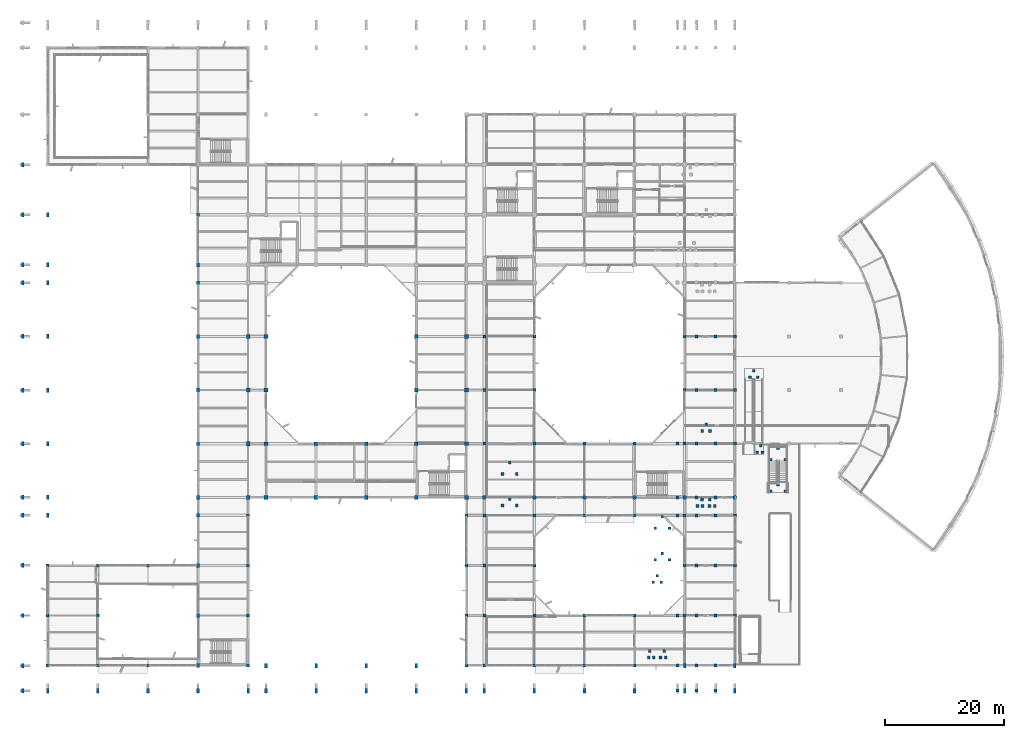
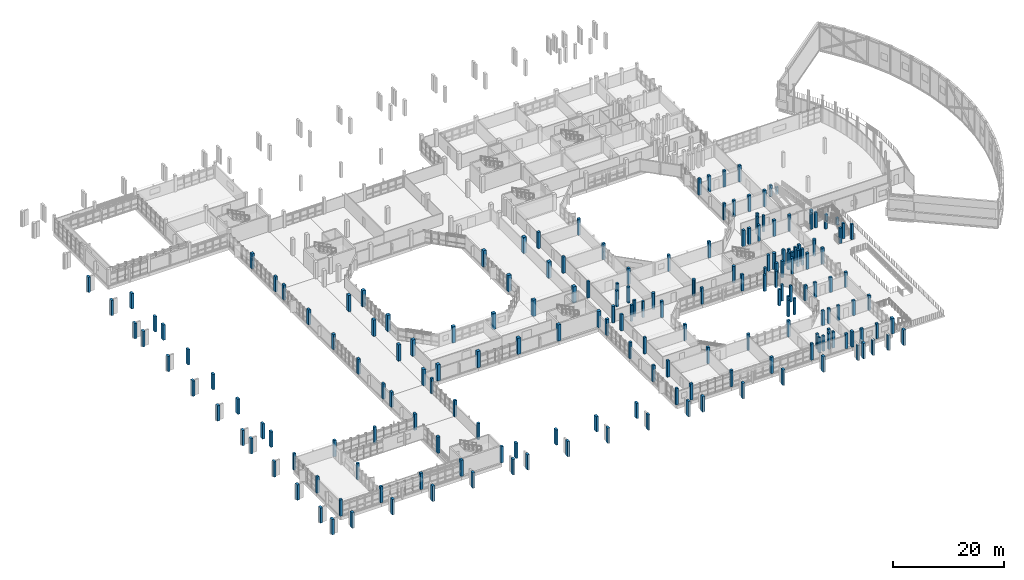
# One storey, part 1 of 104: 196 columns.
"""IFC4 building model written with IfcOpenShell, lengths in metres."""

import ifcopenshell
import ifcopenshell.guid

model = None  # the IFC model being written
_history = None  # IfcOwnerHistory: only IFC2X3 demands one
_inside = {}  # id of a spatial element -> (the spatial element, [elements in it])
_under = {}  # id of a project, library or spatial element -> (it, [spatial elements below it])
_declared = {}  # id of a project -> (the project, [libraries it declares])
_typed = {}  # id of a type object -> (the type object, [elements of that type])
_made_of = {}  # id of a material, layer set ... -> (it, [elements and type objects made of it])


def new_model(schema):
    """Start an empty IFC model of exactly this schema.

    Asked for "IFC4X3", IfcOpenShell would pick the latest addendum, in which some entities
    have other attributes; the version numbers below select the first issue.
    IFC2X3 requires an IfcOwnerHistory on every rooted entity: one is made here for all.
    """
    global model, _history
    if schema == "IFC4X3":
        model = ifcopenshell.file(schema_version=(4, 3, 0, 0))
    else:
        model = ifcopenshell.file(schema=schema)
    _inside.clear()
    _under.clear()
    _declared.clear()
    _typed.clear()
    _made_of.clear()
    _history = None
    if model.schema == "IFC2X3":
        org = make("IfcOrganization", Name="unknown")
        user = make(
            "IfcPersonAndOrganization",
            ThePerson=make("IfcPerson", FamilyName="unknown"),
            TheOrganization=org,
        )
        app = make(
            "IfcApplication",
            ApplicationDeveloper=org,
            Version="unknown",
            ApplicationFullName="unknown",
            ApplicationIdentifier="unknown",
        )
        _history = make(
            "IfcOwnerHistory",
            OwningUser=user,
            OwningApplication=app,
            ChangeAction="ADDED",
            CreationDate=0,
        )
    return model


def make(cls, **values):
    """One entity of the class cls with the attributes given. An attribute that is None is left unset."""
    return model.create_entity(
        cls, **{name: value for name, value in values.items() if value is not None}
    )


def rooted(cls, **values):
    """An entity with a GlobalId (a new one), such as an element, a storey or a relation."""
    return make(cls, GlobalId=ifcopenshell.guid.new(), OwnerHistory=_history, **values)


def si_unit(unit_type, name, prefix=None):
    """IfcSIUnit, for example si_unit("LENGTHUNIT", "METRE", prefix="MILLI")."""
    return make("IfcSIUnit", UnitType=unit_type, Prefix=prefix, Name=name)


def assignment(units):
    """IfcUnitAssignment: the units of a project."""
    return None if units is None else make("IfcUnitAssignment", Units=units)


def point(xyz):
    """IfcCartesianPoint."""
    return None if xyz is None else make("IfcCartesianPoint", Coordinates=xyz)


def direction(xyz):
    """IfcDirection."""
    return None if xyz is None else make("IfcDirection", DirectionRatios=xyz)


def frame(location, z_axis=None, x_axis=None):
    """IfcAxis2Placement3D, a coordinate frame: its origin and axes. An axis left out is left unset."""
    return make(
        "IfcAxis2Placement3D",
        Location=point(location),
        Axis=direction(z_axis),
        RefDirection=direction(x_axis),
    )


def frame_2d(location, x_axis=None):
    """IfcAxis2Placement2D, a coordinate frame in the plane: its origin and x axis."""
    return make(
        "IfcAxis2Placement2D", Location=point(location), RefDirection=direction(x_axis)
    )


def origin():
    """The frame at (0, 0, 0) with its axes left unset."""
    return frame((0.0, 0.0, 0.0))


def origin_2d():
    """The frame at (0, 0) in the plane with its x axis left unset."""
    return frame_2d((0.0, 0.0))


def place(relative_to, where):
    """IfcLocalPlacement: puts the frame where relative to a parent placement (None: the world)."""
    return make(
        "IfcLocalPlacement", PlacementRelTo=relative_to, RelativePlacement=where
    )


def context(
    kind, dimensions, precision=None, world=None, true_north=None, identifier=None
):
    """IfcGeometricRepresentationContext, for example the 3D "Model" context."""
    return make(
        "IfcGeometricRepresentationContext",
        ContextIdentifier=identifier,
        ContextType=kind,
        CoordinateSpaceDimension=dimensions,
        Precision=precision,
        WorldCoordinateSystem=world,
        TrueNorth=true_north,
    )


def subcontext(parent, identifier, kind, view, scale=None):
    """IfcGeometricRepresentationSubContext, for example "Body" below "Model"."""
    return make(
        "IfcGeometricRepresentationSubContext",
        ContextIdentifier=identifier,
        ContextType=kind,
        ParentContext=parent,
        TargetScale=scale,
        TargetView=view,
    )


def project(units=None, contexts=None):
    """IfcProject with its units and contexts."""
    return rooted(
        "IfcProject",
        Name="project",
        RepresentationContexts=contexts,
        UnitsInContext=assignment(units),
    )


def spatial(cls, under=None, at=None, **own):
    """A site, building, storey or space (cls), placed at a placement, below another one or the project."""
    s = rooted(cls, ObjectPlacement=at, **own)
    if under is not None:
        _under.setdefault(under.id(), (under, []))[1].append(s)
    return s


def profile(cls, at=None, kind="AREA", **sizes):
    """A parametric profile (cls). Its sizes go by their IFC names, for example OverallWidth=200.0."""
    return make(cls, ProfileType=kind, Position=at, **sizes)


def rectangle(**sizes):
    """IfcRectangleProfileDef."""
    return profile("IfcRectangleProfileDef", **sizes)


def circle(**sizes):
    """IfcCircleProfileDef."""
    return profile("IfcCircleProfileDef", **sizes)


def extrude(swept, where, along, depth):
    """IfcExtrudedAreaSolid: the profile swept, set in the frame where, extruded along a direction by depth."""
    return make(
        "IfcExtrudedAreaSolid",
        SweptArea=swept,
        Position=where,
        ExtrudedDirection=direction(along),
        Depth=depth,
    )


def shape(context_of_items, identifier, shape_type, items):
    """IfcShapeRepresentation: the items that make up one representation, for example the "Body"."""
    return make(
        "IfcShapeRepresentation",
        ContextOfItems=context_of_items,
        RepresentationIdentifier=identifier,
        RepresentationType=shape_type,
        Items=items,
    )


def material(Name=None, Category=None):
    """IfcMaterial."""
    return make("IfcMaterial", Name=Name, Category=Category)


def material_profile(
    of_material, cross_section, Name=None, Category=None, Priority=None
):
    """IfcMaterialProfile: a cross section and its material."""
    return make(
        "IfcMaterialProfile",
        Name=Name,
        Material=of_material,
        Profile=cross_section,
        Priority=Priority,
        Category=Category,
    )


def profile_set(profiles, Name=None, composite=None):
    """IfcMaterialProfileSet."""
    return make(
        "IfcMaterialProfileSet",
        Name=Name,
        MaterialProfiles=profiles,
        CompositeProfile=composite,
    )


def made_of(thing, what):
    """Note that an element or type object is made of a material, layer set ...; save() writes the relation."""
    if what is not None:
        _made_of.setdefault(what.id(), (what, []))[1].append(thing)
    return thing


def type_object(cls, material=None, **own):
    """A type object (cls), such as IfcWallType, which elements share."""
    return made_of(rooted(cls, **own), material)


def element(
    cls,
    number,
    at=None,
    inside=None,
    cuts=None,
    type_object=None,
    material=None,
    context=None,
    identifier="Body",
    shape_type=None,
    held_by="IfcProductDefinitionShape",
    body=None,
    shapes=None,
    **own,
):
    """One element of the class cls, such as IfcWall. Its Tag is "e" and its number.

    at: its placement. inside: the storey or other place that contains it. cuts: it is an
    opening in that element (IfcRelVoidsElement). A single representation is given by context,
    identifier, shape_type and body (its items); several are given by shapes. held_by: the class
    of the entity that holds the representations. save() writes the other relations.
    """
    e = rooted(cls, Tag="e%d" % number, ObjectPlacement=at, **own)
    if body is not None:
        shapes = [shape(context, identifier, shape_type, body)]
    if shapes is not None:
        e.Representation = make(held_by, Representations=shapes)
    if inside is not None:
        _inside.setdefault(inside.id(), (inside, []))[1].append(e)
    if cuts is not None:
        rooted(
            "IfcRelVoidsElement", RelatingBuildingElement=cuts, RelatedOpeningElement=e
        )
    if type_object is not None:
        _typed.setdefault(type_object.id(), (type_object, []))[1].append(e)
    return made_of(e, material)


def aggregate(whole, parts):
    """IfcRelAggregates: a whole, such as a stair, and the parts it consists of."""
    return rooted("IfcRelAggregates", RelatingObject=whole, RelatedObjects=parts)


def save(model, path):
    """Write the relations noted so far, then the file.

    IfcRelAggregates (storeys below a building ...), IfcRelContainedInSpatialStructure (elements
    in a storey), IfcRelDefinesByType, IfcRelAssociatesMaterial and IfcRelDeclares: one each for
    every whole, place, type object, material and project.
    """
    for whole, parts in _under.values():
        aggregate(whole, parts)
    for where, things in _inside.values():
        rooted(
            "IfcRelContainedInSpatialStructure",
            RelatedElements=things,
            RelatingStructure=where,
        )
    for kind, things in _typed.values():
        rooted("IfcRelDefinesByType", RelatedObjects=things, RelatingType=kind)
    for what, things in _made_of.values():
        rooted("IfcRelAssociatesMaterial", RelatedObjects=things, RelatingMaterial=what)
    for by, libraries in _declared.values():
        rooted("IfcRelDeclares", RelatingContext=by, RelatedDefinitions=libraries)
    model.write(path)


model = new_model("IFC4")

# Units and contexts
model_context = context("Model", 3, precision=1e-05, world=origin(), true_north=direction((0.0, 1.0)))
body_context = subcontext(model_context, "Body", "Model", "MODEL_VIEW")
ifc_project = project(units=[si_unit("LENGTHUNIT", "METRE"), si_unit("AREAUNIT", "SQUARE_METRE"), si_unit("VOLUMEUNIT", "CUBIC_METRE"), si_unit("PLANEANGLEUNIT", "RADIAN"), si_unit("MASSUNIT", "GRAM", prefix="KILO")], contexts=[model_context])

# Site, building, storey
site_placement = place(None, origin())
site = spatial("IfcSite", under=ifc_project, at=site_placement, CompositionType="ELEMENT")
building_placement = place(site_placement, origin())
building = spatial("IfcBuilding", under=site, at=building_placement, Name="Vanh Quang Courtyard School", CompositionType="ELEMENT")
storey_placement = place(building_placement, frame((0.0, 0.0, 4.199951171875)))
storey = spatial("IfcBuildingStorey", under=building, at=storey_placement, Name="L01", CompositionType="ELEMENT", Elevation=4.199951171875)

# Columns
ifc_material = material(Name="Concrete C35/45", Category="concrete")
ifc_material_profile_1 = material_profile(ifc_material, rectangle(XDim=0.449951171875, YDim=0.75, at=origin_2d()), Name="RC-PIER 450x750")
ifc_profile_set_1 = profile_set([ifc_material_profile_1], Name="Concrete C35/45")
column_type_1 = type_object("IfcColumnType", Name="COL-PIER-450x750", PredefinedType="COLUMN", material=ifc_profile_set_1)
for number, where, z_axis, x_axis, name in (
    (1, (0.0, 0.0, 0.0), (0.0, 0.0, 1.0), (1.0, 0.0, 0.0), "Column C-09 (L01)"),
    (2, (0.0, 4.199951171875, 0.0), (0.0, 0.0, 1.0), (1.0, 0.0, 0.0), "Column C-09 (L01)"),
    (3, (0.0, 12.60009765625, 0.0), (0.0, 0.0, 1.0), (1.0, 0.0, 0.0), "Column C-09 (L01)"),
    (4, (0.0, 21.0, 0.0), (0.0, 0.0, 1.0), (1.0, 0.0, 0.0), "Column C-09 (L01)"),
    (5, (0.0, 29.39990234375, 0.0), (0.0, 0.0, 1.0), (1.0, 0.0, 0.0), "Column C-09 (L01)"),
    (6, (0.0, 32.39990234375, 0.0), (0.0, 0.0, 1.0), (1.0, 0.0, 0.0), "Column C-09 (L01)"),
    (7, (0.0, 41.39990234375, 0.0), (0.0, 0.0, 1.0), (1.0, 0.0, 0.0), "Column C-09 (L01)"),
    (8, (0.0, 50.39990234375, 0.0), (0.0, 0.0, 1.0), (1.0, 0.0, 0.0), "Column C-09 (L01)"),
    (9, (0.0, 59.39990234375, 0.0), (0.0, 0.0, 1.0), (1.0, 0.0, 0.0), "Column C-09 (L01)"),
    (10, (0.0, 68.39990234375, 0.0), (0.0, 0.0, 1.0), (1.0, 0.0, 0.0), "Column C-09 (L01)"),
    (11, (0.0, 71.39990234375, 0.0), (0.0, 0.0, 1.0), (1.0, 0.0, 0.0), "Column C-09 (L01)"),
    (12, (0.0, 79.800048828125, 0.0), (0.0, 0.0, 1.0), (1.0, 0.0, 0.0), "Column C-09 (L01)"),
    (13, (0.0, 88.199951171875, 0.0), (0.0, 0.0, 1.0), (1.0, 0.0, 0.0), "Column C-09 (L01)"),
    (14, (4.199951171875, 0.0, 0.0), (0.0, 0.0, 1.0), (1.0, 0.0, 0.0), "Column C-09 (L01)"),
    (15, (4.199951171875, 29.39990234375, 0.0), (0.0, 0.0, 1.0), (1.0, 0.0, 0.0), "Column C-09 (L01)"),
    (16, (4.199951171875, 32.39990234375, 0.0), (0.0, 0.0, 1.0), (1.0, 0.0, 0.0), "Column C-09 (L01)"),
    (17, (4.199951171875, 41.39990234375, 0.0), (0.0, 0.0, 1.0), (1.0, 0.0, 0.0), "Column C-09 (L01)"),
    (18, (4.199951171875, 50.39990234375, 0.0), (0.0, 0.0, 1.0), (1.0, 0.0, 0.0), "Column C-09 (L01)"),
    (19, (4.199951171875, 59.39990234375, 0.0), (0.0, 0.0, 1.0), (1.0, 0.0, 0.0), "Column C-09 (L01)"),
    (20, (4.199951171875, 68.39990234375, 0.0), (0.0, 0.0, 1.0), (1.0, 0.0, 0.0), "Column C-09 (L01)"),
    (21, (4.199951171875, 71.39990234375, 0.0), (0.0, 0.0, 1.0), (1.0, 0.0, 0.0), "Column C-09 (L01)"),
    (22, (4.199951171875, 79.800048828125, 0.0), (0.0, 0.0, 1.0), (1.0, 0.0, 0.0), "Column C-09 (L01)"),
    (23, (12.60009765625, 0.0, 0.0), (0.0, 0.0, 1.0), (1.0, 0.0, 0.0), "Column C-09 (L01)"),
    (24, (21.0, 0.0, 0.0), (0.0, 0.0, 1.0), (1.0, 0.0, 0.0), "Column C-09 (L01)"),
    (25, (29.39990234375, 0.0, 0.0), (0.0, 0.0, 1.0), (1.0, 0.0, 0.0), "Column C-09 (L01)"),
    (26, (37.800048828125, 0.0, 0.0), (0.0, 0.0, 1.0), (1.0, 0.0, 0.0), "Column C-09 (L01)"),
    (27, (40.800048828125, 0.0, 0.0), (0.0, 0.0, 1.0), (1.0, 0.0, 0.0), "Column C-09 (L01)"),
    (28, (40.800048828125, 4.199951171875, 0.0), (0.0, 0.0, 1.0), (1.0, 0.0, 0.0), "Column C-09 (L01)"),
    (29, (49.199951171875, 0.0, 0.0), (0.0, 0.0, 1.0), (1.0, 0.0, 0.0), "Column C-09 (L01)"),
    (30, (49.199951171875, 4.199951171875, 0.0), (0.0, 0.0, 1.0), (1.0, 0.0, 0.0), "Column C-09 (L01)"),
    (31, (57.60009765625, 0.0, 0.0), (0.0, 0.0, 1.0), (1.0, 0.0, 0.0), "Column C-09 (L01)"),
    (32, (57.60009765625, 4.199951171875, 0.0), (0.0, 0.0, 1.0), (1.0, 0.0, 0.0), "Column C-09 (L01)"),
    (33, (66.0, 0.0, 0.0), (0.0, 0.0, 1.0), (1.0, 0.0, 0.0), "Column C-09 (L01)"),
    (34, (66.0, 4.199951171875, 0.0), (0.0, 0.0, 1.0), (1.0, 0.0, 0.0), "Column C-09 (L01)"),
    (35, (74.39990234375, 0.0, 0.0), (0.0, 0.0, 1.0), (1.0, 0.0, 0.0), "Column C-09 (L01)"),
    (36, (77.39990234375, 0.0, 0.0), (0.0, 0.0, 1.0), (1.0, 0.0, 0.0), "Column C-09 (L01)"),
    (37, (85.800048828125, 0.0, 0.0), (0.0, 0.0, 1.0), (1.0, 0.0, 0.0), "Column C-09 (L01)"),
    (38, (94.199951171875, 0.0, 0.0), (0.0, 0.0, 1.0), (1.0, 0.0, 0.0), "Column C-09 (L01)"),
    (39, (102.60009765625, 0.0, 0.0), (0.0, 0.0, 1.0), (1.0, 0.0, 0.0), "Column C-09 (L01)"),
    (40, (111.0, 0.0, 0.0), (0.0, 0.0, 1.0), (1.0, 0.0, 0.0), "Column C-09 (L01)"),
    (41, (111.0, 4.199951171875, 0.0), (0.0, 0.0, 1.0), (1.0, 0.0, 0.0), "Column C-09 (L01)"),
    (42, (119.39990234375, 0.0, 0.0), (0.0, 0.0, 1.0), (1.0, 0.0, 0.0), "Column C-09 (L01)"),
    (43, (119.39990234375, 4.199951171875, 0.0), (0.0, 0.0, 1.0), (1.0, 0.0, 0.0), "Column C-09 (L01)"),
):
    element("IfcColumn", number, at=place(storey_placement, frame(where, z_axis=z_axis, x_axis=x_axis)), inside=storey, type_object=column_type_1, Name=name, PredefinedType="COLUMN", context=body_context, shape_type="SweptSolid", body=[
        extrude(rectangle(XDim=0.449951171875, YDim=0.75, at=origin_2d()), origin(), (0.0, 0.0, 1.0), 3.380126953125),
    ])
ifc_material_profile_2 = material_profile(ifc_material, rectangle(XDim=0.449951171875, YDim=0.449951171875, at=origin_2d()), Name="RC-COL 450x450")
ifc_profile_set_2 = profile_set([ifc_material_profile_2], Name="Concrete C35/45")
column_type_2 = type_object("IfcColumnType", Name="COL-RC-450", PredefinedType="COLUMN", material=ifc_profile_set_2)
for number, where, z_axis, x_axis, name in (
    (44, (121.949951171875, 52.550048828125, 0.0), (0.0, 0.0, 1.0), (1.0, 0.0, 0.0), "Column C-06 (L01)"),
    (45, (123.25, 52.550048828125, 0.0), (0.0, 0.0, 1.0), (1.0, 0.0, 0.0), "Column C-06 (L01)"),
    (46, (122.60009765625, 53.64990234375, 0.0), (0.0, 0.0, 1.0), (1.0, 0.0, 0.0), "Column C-06 (L01)"),
):
    element("IfcColumn", number, at=place(storey_placement, frame(where, z_axis=z_axis, x_axis=x_axis)), inside=storey, type_object=column_type_2, Name=name, PredefinedType="COLUMN", context=body_context, shape_type="SweptSolid", body=[
        extrude(rectangle(XDim=0.449951171875, YDim=0.449951171875, at=origin_2d()), origin(), (0.0, 0.0, 1.0), 1.580078125),
    ])
for number, where, z_axis, x_axis, name in (
    (47, (123.14990234375, 39.949951171875, 0.0), (0.0, 0.0, 1.0), (1.0, 0.0, 0.0), "Column C-06 (L01)"),
    (48, (124.050048828125, 39.949951171875, 0.0), (0.0, 0.0, 1.0), (1.0, 0.0, 0.0), "Column C-06 (L01)"),
    (49, (123.75, 41.050048828125, 0.0), (0.0, 0.0, 1.0), (1.0, 0.0, 0.0), "Column C-06 (L01)"),
):
    element("IfcColumn", number, at=place(storey_placement, frame(where, z_axis=z_axis, x_axis=x_axis)), inside=storey, type_object=column_type_2, Name=name, PredefinedType="COLUMN", context=body_context, shape_type="SweptSolid", body=[
        extrude(rectangle(XDim=0.449951171875, YDim=0.449951171875, at=origin_2d()), origin(), (0.0, 0.0, 1.0), 3.380126953125),
    ])
for number, where, z_axis, x_axis, name in (
    (50, (105.75, 18.14990234375, 0.0), (0.0, 0.0, 1.0), (1.0, 0.0, 0.0), "Column C-06 (L01)"),
    (51, (107.050048828125, 18.14990234375, 0.0), (0.0, 0.0, 1.0), (1.0, 0.0, 0.0), "Column C-06 (L01)"),
    (52, (106.39990234375, 19.25, 0.0), (0.0, 0.0, 1.0), (1.0, 0.0, 0.0), "Column C-06 (L01)"),
    (53, (106.949951171875, 5.550048828125, 0.0), (0.0, 0.0, 1.0), (1.0, 0.0, 0.0), "Column C-06 (L01)"),
    (54, (107.85009765625, 5.550048828125, 0.0), (0.0, 0.0, 1.0), (1.0, 0.0, 0.0), "Column C-06 (L01)"),
    (55, (107.550048828125, 6.64990234375, 0.0), (0.0, 0.0, 1.0), (1.0, 0.0, 0.0), "Column C-06 (L01)"),
):
    element("IfcColumn", number, at=place(storey_placement, frame(where, z_axis=z_axis, x_axis=x_axis)), inside=storey, type_object=column_type_2, Name=name, PredefinedType="COLUMN", context=body_context, shape_type="SweptSolid", body=[
        extrude(rectangle(XDim=0.449951171875, YDim=0.449951171875, at=origin_2d()), origin(), (0.0, 0.0, 1.0), 3.60009765625),
    ])
for number, where, z_axis, x_axis, name in (
    (56, (104.949951171875, 5.550048828125, 0.0), (0.0, 0.0, 1.0), (1.0, 0.0, 0.0), "Column C-06 (L01)"),
    (57, (105.800048828125, 5.550048828125, 0.0), (0.0, 0.0, 1.0), (1.0, 0.0, 0.0), "Column C-06 (L01)"),
    (58, (105.14990234375, 6.64990234375, 0.0), (0.0, 0.0, 1.0), (1.0, 0.0, 0.0), "Column C-06 (L01)"),
):
    element("IfcColumn", number, at=place(storey_placement, frame(where, z_axis=z_axis, x_axis=x_axis)), inside=storey, type_object=column_type_2, Name=name, PredefinedType="COLUMN", context=body_context, shape_type="SweptSolid", body=[
        extrude(rectangle(XDim=0.449951171875, YDim=0.449951171875, at=origin_2d()), origin(), (0.0, 0.0, 1.0), 3.380126953125),
    ])
for number, where, z_axis, x_axis, name in (
    (59, (113.949951171875, 43.550048828125, 0.0), (0.0, 0.0, 1.0), (1.0, 0.0, 0.0), "Column C-06 (L01)"),
    (60, (115.25, 43.550048828125, 0.0), (0.0, 0.0, 1.0), (1.0, 0.0, 0.0), "Column C-06 (L01)"),
    (61, (114.60009765625, 44.64990234375, 0.0), (0.0, 0.0, 1.0), (1.0, 0.0, 0.0), "Column C-06 (L01)"),
    (62, (115.14990234375, 30.949951171875, 0.0), (0.0, 0.0, 1.0), (1.0, 0.0, 0.0), "Column C-06 (L01)"),
    (63, (116.050048828125, 30.949951171875, 0.0), (0.0, 0.0, 1.0), (1.0, 0.0, 0.0), "Column C-06 (L01)"),
    (64, (115.199951171875, 32.050048828125, 0.0), (0.0, 0.0, 1.0), (1.0, 0.0, 0.0), "Column C-06 (L01)"),
    (65, (113.14990234375, 30.949951171875, 0.0), (0.0, 0.0, 1.0), (1.0, 0.0, 0.0), "Column C-06 (L01)"),
    (66, (114.0, 30.949951171875, 0.0), (0.0, 0.0, 1.0), (1.0, 0.0, 0.0), "Column C-06 (L01)"),
    (67, (113.89990234375, 32.050048828125, 0.0), (0.0, 0.0, 1.0), (1.0, 0.0, 0.0), "Column C-06 (L01)"),
):
    element("IfcColumn", number, at=place(storey_placement, frame(where, z_axis=z_axis, x_axis=x_axis)), inside=storey, type_object=column_type_2, Name=name, PredefinedType="COLUMN", context=body_context, shape_type="SweptSolid", body=[
        extrude(rectangle(XDim=0.449951171875, YDim=0.449951171875, at=origin_2d()), origin(), (0.0, 0.0, 1.0), 3.60009765625),
    ])
for number, where, z_axis, x_axis, name in (
    (68, (127.85009765625, 38.739990234375, 0.0), (0.0, 0.0, 1.0), (1.0, 0.0, 0.0), "Column C-06 (L01)"),
    (69, (125.449951171875, 38.739990234375, 0.0), (0.0, 0.0, 1.0), (1.0, 0.0, 0.0), "Column C-06 (L01)"),
    (70, (126.64990234375, 40.64990234375, 0.0), (0.0, 0.0, 1.0), (1.0, 0.0, 0.0), "Column C-06 (L01)"),
):
    element("IfcColumn", number, at=place(storey_placement, frame(where, z_axis=z_axis, x_axis=x_axis)), inside=storey, type_object=column_type_2, Name=name, PredefinedType="COLUMN", context=body_context, shape_type="SweptSolid", body=[
        extrude(rectangle(XDim=0.449951171875, YDim=0.449951171875, at=origin_2d()), origin(), (0.0, 0.0, 1.0), 1.60009765625),
    ])
for number, where, z_axis, x_axis, name in (
    (71, (127.85009765625, 33.449951171875, 0.0), (0.0, 0.0, 1.0), (1.0, 0.0, 0.0), "Column C-06 (L01)"),
    (72, (125.449951171875, 33.449951171875, 0.0), (0.0, 0.0, 1.0), (1.0, 0.0, 0.0), "Column C-06 (L01)"),
    (73, (126.64990234375, 34.5, 0.0), (0.0, 0.0, 1.0), (1.0, 0.0, 0.0), "Column C-06 (L01)"),
):
    element("IfcColumn", number, at=place(storey_placement, frame(where, z_axis=z_axis, x_axis=x_axis)), inside=storey, type_object=column_type_2, Name=name, PredefinedType="COLUMN", context=body_context, shape_type="SweptSolid", body=[
        extrude(rectangle(XDim=0.449951171875, YDim=0.449951171875, at=origin_2d()), origin(), (0.0, 0.0, 1.0), 3.400146484375),
    ])
for number, where, z_axis, x_axis, name in (
    (74, (108.449951171875, 27.239990234375, 0.0), (0.0, 0.0, 1.0), (1.0, 0.0, 0.0), "Column C-06 (L01)"),
    (75, (106.050048828125, 27.239990234375, 0.0), (0.0, 0.0, 1.0), (1.0, 0.0, 0.0), "Column C-06 (L01)"),
    (76, (107.25, 29.14990234375, 0.0), (0.0, 0.0, 1.0), (1.0, 0.0, 0.0), "Column C-06 (L01)"),
    (77, (108.449951171875, 21.949951171875, 0.0), (0.0, 0.0, 1.0), (1.0, 0.0, 0.0), "Column C-06 (L01)"),
    (78, (106.050048828125, 21.949951171875, 0.0), (0.0, 0.0, 1.0), (1.0, 0.0, 0.0), "Column C-06 (L01)"),
    (79, (107.25, 23.0, 0.0), (0.0, 0.0, 1.0), (1.0, 0.0, 0.0), "Column C-06 (L01)"),
    (80, (82.85009765625, 36.340087890625, 0.0), (0.0, 0.0, 1.0), (1.0, 0.0, 0.0), "Column C-06 (L01)"),
    (81, (80.449951171875, 36.340087890625, 0.0), (0.0, 0.0, 1.0), (1.0, 0.0, 0.0), "Column C-06 (L01)"),
    (82, (81.64990234375, 38.25, 0.0), (0.0, 0.0, 1.0), (1.0, 0.0, 0.0), "Column C-06 (L01)"),
    (83, (82.85009765625, 31.050048828125, 0.0), (0.0, 0.0, 1.0), (1.0, 0.0, 0.0), "Column C-06 (L01)"),
    (84, (80.449951171875, 31.050048828125, 0.0), (0.0, 0.0, 1.0), (1.0, 0.0, 0.0), "Column C-06 (L01)"),
    (85, (81.64990234375, 32.10009765625, 0.0), (0.0, 0.0, 1.0), (1.0, 0.0, 0.0), "Column C-06 (L01)"),
):
    element("IfcColumn", number, at=place(storey_placement, frame(where, z_axis=z_axis, x_axis=x_axis)), inside=storey, type_object=column_type_2, Name=name, PredefinedType="COLUMN", context=body_context, shape_type="SweptSolid", body=[
        extrude(rectangle(XDim=0.449951171875, YDim=0.449951171875, at=origin_2d()), origin(), (0.0, 0.0, 1.0), 3.60009765625),
    ])
ifc_material_profile_3 = material_profile(ifc_material, rectangle(XDim=0.5, YDim=0.5, at=origin_2d()), Name="RC-COL 500x500")
ifc_profile_set_3 = profile_set([ifc_material_profile_3], Name="Concrete C35/45")
column_type_3 = type_object("IfcColumnType", Name="COL-RC-500", PredefinedType="COLUMN", material=ifc_profile_set_3)
for number, where, z_axis, x_axis, name in (
    (86, (4.199951171875, 4.199951171875, 0.0), (0.0, 0.0, 1.0), (1.0, 0.0, 0.0), "Column C-05 (L01)"),
    (87, (4.199951171875, 12.60009765625, 0.0), (0.0, 0.0, 1.0), (1.0, 0.0, 0.0), "Column C-05 (L01)"),
    (88, (4.199951171875, 21.0, 0.0), (0.0, 0.0, 1.0), (1.0, 0.0, 0.0), "Column C-05 (L01)"),
    (89, (12.60009765625, 4.199951171875, 0.0), (0.0, 0.0, 1.0), (1.0, 0.0, 0.0), "Column C-05 (L01)"),
    (90, (12.60009765625, 12.60009765625, 0.0), (0.0, 0.0, 1.0), (1.0, 0.0, 0.0), "Column C-05 (L01)"),
    (91, (12.60009765625, 21.0, 0.0), (0.0, 0.0, 1.0), (1.0, 0.0, 0.0), "Column C-05 (L01)"),
    (92, (21.0, 4.199951171875, 0.0), (0.0, 0.0, 1.0), (1.0, 0.0, 0.0), "Column C-05 (L01)"),
    (93, (21.0, 21.0, 0.0), (0.0, 0.0, 1.0), (1.0, 0.0, 0.0), "Column C-05 (L01)"),
    (94, (37.800048828125, 4.199951171875, 0.0), (0.0, 0.0, 1.0), (1.0, 0.0, 0.0), "Column C-05 (L01)"),
    (95, (37.800048828125, 12.60009765625, 0.0), (0.0, 0.0, 1.0), (1.0, 0.0, 0.0), "Column C-05 (L01)"),
    (96, (37.800048828125, 21.0, 0.0), (0.0, 0.0, 1.0), (1.0, 0.0, 0.0), "Column C-05 (L01)"),
):
    element("IfcColumn", number, at=place(storey_placement, frame(where, z_axis=z_axis, x_axis=x_axis)), inside=storey, type_object=column_type_3, Name=name, PredefinedType="COLUMN", context=body_context, shape_type="SweptSolid", body=[
        extrude(rectangle(XDim=0.5, YDim=0.5, at=origin_2d()), origin(), (0.0, 0.0, 1.0), 3.60009765625),
    ])
column_placement = place(storey_placement, frame((37.800048828125, 29.39990234375, 0.0), z_axis=(0.0, 0.0, 1.0), x_axis=(1.0, 0.0, 0.0)))
element("IfcColumn", 97, at=column_placement, inside=storey, type_object=column_type_3, Name="Column C-05 (L01)", PredefinedType="COLUMN", context=body_context, shape_type="SweptSolid", body=[
    extrude(rectangle(XDim=0.5, YDim=0.5, at=origin_2d()), origin(), (0.0, 0.0, 1.0), 3.320068359375),
])
for number, where, z_axis, x_axis, name in (
    (98, (74.39990234375, 4.199951171875, 0.0), (0.0, 0.0, 1.0), (1.0, 0.0, 0.0), "Column C-05 (L01)"),
    (99, (74.39990234375, 12.60009765625, 0.0), (0.0, 0.0, 1.0), (1.0, 0.0, 0.0), "Column C-05 (L01)"),
    (100, (74.39990234375, 21.0, 0.0), (0.0, 0.0, 1.0), (1.0, 0.0, 0.0), "Column C-05 (L01)"),
    (101, (74.39990234375, 29.39990234375, 0.0), (0.0, 0.0, 1.0), (1.0, 0.0, 0.0), "Column C-05 (L01)"),
    (102, (77.39990234375, 4.199951171875, 0.0), (0.0, 0.0, 1.0), (1.0, 0.0, 0.0), "Column C-05 (L01)"),
    (103, (77.39990234375, 12.60009765625, 0.0), (0.0, 0.0, 1.0), (1.0, 0.0, 0.0), "Column C-05 (L01)"),
    (104, (77.39990234375, 21.0, 0.0), (0.0, 0.0, 1.0), (1.0, 0.0, 0.0), "Column C-05 (L01)"),
    (105, (77.39990234375, 29.39990234375, 0.0), (0.0, 0.0, 1.0), (1.0, 0.0, 0.0), "Column C-05 (L01)"),
    (106, (77.39990234375, 41.39990234375, 0.0), (0.0, 0.0, 1.0), (1.0, 0.0, 0.0), "Column C-05 (L01)"),
    (107, (77.39990234375, 50.39990234375, 0.0), (0.0, 0.0, 1.0), (1.0, 0.0, 0.0), "Column C-05 (L01)"),
    (108, (77.39990234375, 59.39990234375, 0.0), (0.0, 0.0, 1.0), (1.0, 0.0, 0.0), "Column C-05 (L01)"),
    (109, (85.800048828125, 4.199951171875, 0.0), (0.0, 0.0, 1.0), (1.0, 0.0, 0.0), "Column C-05 (L01)"),
    (110, (85.800048828125, 12.60009765625, 0.0), (0.0, 0.0, 1.0), (1.0, 0.0, 0.0), "Column C-05 (L01)"),
    (111, (85.800048828125, 21.0, 0.0), (0.0, 0.0, 1.0), (1.0, 0.0, 0.0), "Column C-05 (L01)"),
    (112, (85.800048828125, 29.39990234375, 0.0), (0.0, 0.0, 1.0), (1.0, 0.0, 0.0), "Column C-05 (L01)"),
    (113, (85.800048828125, 41.39990234375, 0.0), (0.0, 0.0, 1.0), (1.0, 0.0, 0.0), "Column C-05 (L01)"),
    (114, (85.800048828125, 50.39990234375, 0.0), (0.0, 0.0, 1.0), (1.0, 0.0, 0.0), "Column C-05 (L01)"),
    (115, (85.800048828125, 59.39990234375, 0.0), (0.0, 0.0, 1.0), (1.0, 0.0, 0.0), "Column C-05 (L01)"),
    (116, (94.199951171875, 4.199951171875, 0.0), (0.0, 0.0, 1.0), (1.0, 0.0, 0.0), "Column C-05 (L01)"),
    (117, (94.199951171875, 12.60009765625, 0.0), (0.0, 0.0, 1.0), (1.0, 0.0, 0.0), "Column C-05 (L01)"),
    (118, (94.199951171875, 29.39990234375, 0.0), (0.0, 0.0, 1.0), (1.0, 0.0, 0.0), "Column C-05 (L01)"),
    (119, (94.199951171875, 41.39990234375, 0.0), (0.0, 0.0, 1.0), (1.0, 0.0, 0.0), "Column C-05 (L01)"),
    (120, (102.60009765625, 4.199951171875, 0.0), (0.0, 0.0, 1.0), (1.0, 0.0, 0.0), "Column C-05 (L01)"),
    (121, (102.60009765625, 12.60009765625, 0.0), (0.0, 0.0, 1.0), (1.0, 0.0, 0.0), "Column C-05 (L01)"),
    (122, (102.60009765625, 29.39990234375, 0.0), (0.0, 0.0, 1.0), (1.0, 0.0, 0.0), "Column C-05 (L01)"),
    (123, (102.60009765625, 41.39990234375, 0.0), (0.0, 0.0, 1.0), (1.0, 0.0, 0.0), "Column C-05 (L01)"),
):
    element("IfcColumn", number, at=place(storey_placement, frame(where, z_axis=z_axis, x_axis=x_axis)), inside=storey, type_object=column_type_3, Name=name, PredefinedType="COLUMN", context=body_context, shape_type="SweptSolid", body=[
        extrude(rectangle(XDim=0.5, YDim=0.5, at=origin_2d()), origin(), (0.0, 0.0, 1.0), 3.60009765625),
    ])
for number, where, z_axis, x_axis, name in (
    (124, (111.0, 12.60009765625, 0.0), (0.0, 0.0, 1.0), (1.0, 0.0, 0.0), "Column C-05 (L01)"),
    (125, (111.0, 21.0, 0.0), (0.0, 0.0, 1.0), (1.0, 0.0, 0.0), "Column C-05 (L01)"),
):
    element("IfcColumn", number, at=place(storey_placement, frame(where, z_axis=z_axis, x_axis=x_axis)), inside=storey, type_object=column_type_3, Name=name, PredefinedType="COLUMN", context=body_context, shape_type="SweptSolid", body=[
        extrude(rectangle(XDim=0.5, YDim=0.5, at=origin_2d()), origin(), (0.0, 0.0, 1.0), 3.320068359375),
    ])
for number, where, z_axis, x_axis, name in (
    (126, (111.0, 29.39990234375, 0.0), (0.0, 0.0, 1.0), (1.0, 0.0, 0.0), "Column C-05 (L01)"),
    (127, (111.0, 41.39990234375, 0.0), (0.0, 0.0, 1.0), (1.0, 0.0, 0.0), "Column C-05 (L01)"),
    (128, (111.0, 50.39990234375, 0.0), (0.0, 0.0, 1.0), (1.0, 0.0, 0.0), "Column C-05 (L01)"),
    (129, (111.0, 59.39990234375, 0.0), (0.0, 0.0, 1.0), (1.0, 0.0, 0.0), "Column C-05 (L01)"),
):
    element("IfcColumn", number, at=place(storey_placement, frame(where, z_axis=z_axis, x_axis=x_axis)), inside=storey, type_object=column_type_3, Name=name, PredefinedType="COLUMN", context=body_context, shape_type="SweptSolid", body=[
        extrude(rectangle(XDim=0.5, YDim=0.5, at=origin_2d()), origin(), (0.0, 0.0, 1.0), 3.60009765625),
    ])
for number, where, z_axis, x_axis, name in (
    (130, (119.39990234375, 12.60009765625, 0.0), (0.0, 0.0, 1.0), (1.0, 0.0, 0.0), "Column C-05 (L01)"),
    (131, (119.39990234375, 21.0, 0.0), (0.0, 0.0, 1.0), (1.0, 0.0, 0.0), "Column C-05 (L01)"),
):
    element("IfcColumn", number, at=place(storey_placement, frame(where, z_axis=z_axis, x_axis=x_axis)), inside=storey, type_object=column_type_3, Name=name, PredefinedType="COLUMN", context=body_context, shape_type="SweptSolid", body=[
        extrude(rectangle(XDim=0.5, YDim=0.5, at=origin_2d()), origin(), (0.0, 0.0, 1.0), 3.320068359375),
    ])
for number, where, z_axis, x_axis, name in (
    (132, (119.39990234375, 29.39990234375, 0.0), (0.0, 0.0, 1.0), (1.0, 0.0, 0.0), "Column C-05 (L01)"),
    (133, (119.39990234375, 41.39990234375, 0.0), (0.0, 0.0, 1.0), (1.0, 0.0, 0.0), "Column C-05 (L01)"),
    (134, (119.39990234375, 50.39990234375, 0.0), (0.0, 0.0, 1.0), (1.0, 0.0, 0.0), "Column C-05 (L01)"),
    (135, (119.39990234375, 59.39990234375, 0.0), (0.0, 0.0, 1.0), (1.0, 0.0, 0.0), "Column C-05 (L01)"),
):
    element("IfcColumn", number, at=place(storey_placement, frame(where, z_axis=z_axis, x_axis=x_axis)), inside=storey, type_object=column_type_3, Name=name, PredefinedType="COLUMN", context=body_context, shape_type="SweptSolid", body=[
        extrude(rectangle(XDim=0.5, YDim=0.5, at=origin_2d()), origin(), (0.0, 0.0, 1.0), 3.60009765625),
    ])
for number, where, z_axis, x_axis, name in (
    (136, (116.199951171875, 0.0, 0.0), (0.0, 0.0, 1.0), (1.0, 0.0, 0.0), "Column C-05 (L01)"),
    (137, (116.199951171875, 4.199951171875, 0.0), (0.0, 0.0, 1.0), (1.0, 0.0, 0.0), "Column C-05 (L01)"),
    (138, (116.199951171875, 12.60009765625, 0.0), (0.0, 0.0, 1.0), (1.0, 0.0, 0.0), "Column C-05 (L01)"),
    (139, (116.199951171875, 21.0, 0.0), (0.0, 0.0, 1.0), (1.0, 0.0, 0.0), "Column C-05 (L01)"),
):
    element("IfcColumn", number, at=place(storey_placement, frame(where, z_axis=z_axis, x_axis=x_axis)), inside=storey, type_object=column_type_3, Name=name, PredefinedType="COLUMN", context=body_context, shape_type="SweptSolid", body=[
        extrude(rectangle(XDim=0.5, YDim=0.5, at=origin_2d()), origin(), (0.0, 0.0, 1.0), 3.280029296875),
    ])
for number, where, z_axis, x_axis, name in (
    (140, (116.199951171875, 29.39990234375, 0.0), (0.0, 0.0, 1.0), (1.0, 0.0, 0.0), "Column C-05 (L01)"),
    (141, (116.199951171875, 32.39990234375, 0.0), (0.0, 0.0, 1.0), (1.0, 0.0, 0.0), "Column C-05 (L01)"),
    (142, (116.199951171875, 41.39990234375, 0.0), (0.0, 0.0, 1.0), (1.0, 0.0, 0.0), "Column C-05 (L01)"),
    (143, (116.199951171875, 50.39990234375, 0.0), (0.0, 0.0, 1.0), (1.0, 0.0, 0.0), "Column C-05 (L01)"),
    (144, (116.199951171875, 59.39990234375, 0.0), (0.0, 0.0, 1.0), (1.0, 0.0, 0.0), "Column C-05 (L01)"),
):
    element("IfcColumn", number, at=place(storey_placement, frame(where, z_axis=z_axis, x_axis=x_axis)), inside=storey, type_object=column_type_3, Name=name, PredefinedType="COLUMN", context=body_context, shape_type="SweptSolid", body=[
        extrude(rectangle(XDim=0.5, YDim=0.5, at=origin_2d()), origin(), (0.0, 0.0, 1.0), 3.60009765625),
    ])
for number, where, z_axis, x_axis, name in (
    (145, (113.0, 0.0, 0.0), (0.0, 0.0, 1.0), (1.0, 0.0, 0.0), "Column C-05 (L01)"),
    (146, (113.0, 4.199951171875, 0.0), (0.0, 0.0, 1.0), (1.0, 0.0, 0.0), "Column C-05 (L01)"),
    (147, (113.0, 12.60009765625, 0.0), (0.0, 0.0, 1.0), (1.0, 0.0, 0.0), "Column C-05 (L01)"),
    (148, (113.0, 21.0, 0.0), (0.0, 0.0, 1.0), (1.0, 0.0, 0.0), "Column C-05 (L01)"),
):
    element("IfcColumn", number, at=place(storey_placement, frame(where, z_axis=z_axis, x_axis=x_axis)), inside=storey, type_object=column_type_3, Name=name, PredefinedType="COLUMN", context=body_context, shape_type="SweptSolid", body=[
        extrude(rectangle(XDim=0.5, YDim=0.5, at=origin_2d()), origin(), (0.0, 0.0, 1.0), 3.280029296875),
    ])
for number, where, z_axis, x_axis, name in (
    (149, (113.0, 29.39990234375, 0.0), (0.0, 0.0, 1.0), (1.0, 0.0, 0.0), "Column C-05 (L01)"),
    (150, (113.0, 32.39990234375, 0.0), (0.0, 0.0, 1.0), (1.0, 0.0, 0.0), "Column C-05 (L01)"),
    (151, (113.0, 41.39990234375, 0.0), (0.0, 0.0, 1.0), (1.0, 0.0, 0.0), "Column C-05 (L01)"),
    (152, (113.0, 50.39990234375, 0.0), (0.0, 0.0, 1.0), (1.0, 0.0, 0.0), "Column C-05 (L01)"),
    (153, (113.0, 59.39990234375, 0.0), (0.0, 0.0, 1.0), (1.0, 0.0, 0.0), "Column C-05 (L01)"),
):
    element("IfcColumn", number, at=place(storey_placement, frame(where, z_axis=z_axis, x_axis=x_axis)), inside=storey, type_object=column_type_3, Name=name, PredefinedType="COLUMN", context=body_context, shape_type="SweptSolid", body=[
        extrude(rectangle(XDim=0.5, YDim=0.5, at=origin_2d()), origin(), (0.0, 0.0, 1.0), 3.60009765625),
    ])
for number, where, z_axis, x_axis, name in (
    (154, (109.800048828125, 0.0, 0.0), (0.0, 0.0, 1.0), (1.0, 0.0, 0.0), "Column C-05 (L01)"),
    (155, (109.800048828125, 4.199951171875, 0.0), (0.0, 0.0, 1.0), (1.0, 0.0, 0.0), "Column C-05 (L01)"),
    (156, (109.800048828125, 12.60009765625, 0.0), (0.0, 0.0, 1.0), (1.0, 0.0, 0.0), "Column C-05 (L01)"),
):
    element("IfcColumn", number, at=place(storey_placement, frame(where, z_axis=z_axis, x_axis=x_axis)), inside=storey, type_object=column_type_3, Name=name, PredefinedType="COLUMN", context=body_context, shape_type="SweptSolid", body=[
        extrude(rectangle(XDim=0.5, YDim=0.5, at=origin_2d()), origin(), (0.0, 0.0, 1.0), 3.280029296875),
    ])
for number, where, z_axis, x_axis, name in (
    (157, (109.800048828125, 29.39990234375, 0.0), (0.0, 0.0, 1.0), (1.0, 0.0, 0.0), "Column C-05 (L01)"),
    (158, (109.800048828125, 32.39990234375, 0.0), (0.0, 0.0, 1.0), (1.0, 0.0, 0.0), "Column C-05 (L01)"),
    (159, (109.800048828125, 41.39990234375, 0.0), (0.0, 0.0, 1.0), (1.0, 0.0, 0.0), "Column C-05 (L01)"),
):
    element("IfcColumn", number, at=place(storey_placement, frame(where, z_axis=z_axis, x_axis=x_axis)), inside=storey, type_object=column_type_3, Name=name, PredefinedType="COLUMN", context=body_context, shape_type="SweptSolid", body=[
        extrude(rectangle(XDim=0.5, YDim=0.5, at=origin_2d()), origin(), (0.0, 0.0, 1.0), 3.60009765625),
    ])
ifc_material_profile_4 = material_profile(ifc_material, rectangle(XDim=0.5, YDim=0.64990234375, at=origin_2d()), Name="RC-COL 500x650")
ifc_profile_set_4 = profile_set([ifc_material_profile_4], Name="Concrete C35/45")
column_type_4 = type_object("IfcColumnType", Name="COL-RC-500x650", PredefinedType="COLUMN", material=ifc_profile_set_4)
for number, where, z_axis, x_axis, name in (
    (160, (29.39990234375, 4.199951171875, 0.0), (0.0, 0.0, 1.0), (1.0, 0.0, 0.0), "Column C-07 (L01)"),
    (161, (29.39990234375, 12.60009765625, 0.0), (0.0, 0.0, 1.0), (1.0, 0.0, 0.0), "Column C-07 (L01)"),
    (162, (29.39990234375, 21.0, 0.0), (0.0, 0.0, 1.0), (1.0, 0.0, 0.0), "Column C-07 (L01)"),
):
    element("IfcColumn", number, at=place(storey_placement, frame(where, z_axis=z_axis, x_axis=x_axis)), inside=storey, type_object=column_type_4, Name=name, PredefinedType="COLUMN", context=body_context, shape_type="SweptSolid", body=[
        extrude(rectangle(XDim=0.5, YDim=0.64990234375, at=origin_2d()), origin(), (0.0, 0.0, 1.0), 3.60009765625),
    ])
for number, where, z_axis, x_axis, name in (
    (163, (29.39990234375, 29.39990234375, 0.0), (0.0, 0.0, 1.0), (1.0, 0.0, 0.0), "Column C-07 (L01)"),
    (164, (29.39990234375, 32.39990234375, 0.0), (0.0, 0.0, 1.0), (1.0, 0.0, 0.0), "Column C-07 (L01)"),
    (165, (29.39990234375, 41.39990234375, 0.0), (0.0, 0.0, 1.0), (1.0, 0.0, 0.0), "Column C-07 (L01)"),
    (166, (29.39990234375, 50.39990234375, 0.0), (0.0, 0.0, 1.0), (1.0, 0.0, 0.0), "Column C-07 (L01)"),
    (167, (29.39990234375, 59.39990234375, 0.0), (0.0, 0.0, 1.0), (1.0, 0.0, 0.0), "Column C-07 (L01)"),
    (168, (29.39990234375, 68.39990234375, 0.0), (0.0, 0.0, 1.0), (1.0, 0.0, 0.0), "Column C-07 (L01)"),
    (169, (29.39990234375, 71.39990234375, 0.0), (0.0, 0.0, 1.0), (1.0, 0.0, 0.0), "Column C-07 (L01)"),
    (170, (29.39990234375, 79.800048828125, 0.0), (0.0, 0.0, 1.0), (1.0, 0.0, 0.0), "Column C-07 (L01)"),
):
    element("IfcColumn", number, at=place(storey_placement, frame(where, z_axis=z_axis, x_axis=x_axis)), inside=storey, type_object=column_type_4, Name=name, PredefinedType="COLUMN", context=body_context, shape_type="SweptSolid", body=[
        extrude(rectangle(XDim=0.5, YDim=0.64990234375, at=origin_2d()), origin(), (0.0, 0.0, 1.0), 3.320068359375),
    ])
ifc_material_profile_5 = material_profile(ifc_material, rectangle(XDim=0.550048828125, YDim=0.699951171875, at=origin_2d()), Name="RC-COL 550x700")
ifc_profile_set_5 = profile_set([ifc_material_profile_5], Name="Concrete C35/45")
column_type_5 = type_object("IfcColumnType", Name="COL-RC-550x700", PredefinedType="COLUMN", material=ifc_profile_set_5)
for number, where, z_axis, x_axis, name in (
    (171, (37.800048828125, 32.39990234375, 0.0), (0.0, 0.0, 1.0), (1.0, 0.0, 0.0), "Column C-08 (L01)"),
    (172, (37.800048828125, 41.39990234375, 0.0), (0.0, 0.0, 1.0), (1.0, 0.0, 0.0), "Column C-08 (L01)"),
    (173, (37.800048828125, 50.39990234375, 0.0), (0.0, 0.0, 1.0), (1.0, 0.0, 0.0), "Column C-08 (L01)"),
    (174, (37.800048828125, 59.39990234375, 0.0), (0.0, 0.0, 1.0), (1.0, 0.0, 0.0), "Column C-08 (L01)"),
):
    element("IfcColumn", number, at=place(storey_placement, frame(where, z_axis=z_axis, x_axis=x_axis)), inside=storey, type_object=column_type_5, Name=name, PredefinedType="COLUMN", context=body_context, shape_type="SweptSolid", body=[
        extrude(rectangle(XDim=0.550048828125, YDim=0.699951171875, at=origin_2d()), origin(), (0.0, 0.0, 1.0), 3.60009765625),
    ])
ifc_material_profile_6 = material_profile(ifc_material, rectangle(XDim=0.64990234375, YDim=0.64990234375, at=origin_2d()), Name="RC-COL 650x650")
ifc_profile_set_6 = profile_set([ifc_material_profile_6], Name="Concrete C35/45")
column_type_6 = type_object("IfcColumnType", Name="COL-RC-650", PredefinedType="COLUMN", material=ifc_profile_set_6)
for number, where, z_axis, x_axis, name in (
    (175, (40.800048828125, 32.39990234375, 0.0), (0.0, 0.0, 1.0), (1.0, 0.0, 0.0), "Column C-02 (L01)"),
    (176, (40.800048828125, 41.39990234375, 0.0), (0.0, 0.0, 1.0), (1.0, 0.0, 0.0), "Column C-02 (L01)"),
    (177, (40.800048828125, 50.39990234375, 0.0), (0.0, 0.0, 1.0), (1.0, 0.0, 0.0), "Column C-02 (L01)"),
    (178, (40.800048828125, 59.39990234375, 0.0), (0.0, 0.0, 1.0), (1.0, 0.0, 0.0), "Column C-02 (L01)"),
    (179, (49.199951171875, 32.39990234375, 0.0), (0.0, 0.0, 1.0), (1.0, 0.0, 0.0), "Column C-02 (L01)"),
    (180, (49.199951171875, 41.39990234375, 0.0), (0.0, 0.0, 1.0), (1.0, 0.0, 0.0), "Column C-02 (L01)"),
    (181, (57.60009765625, 32.39990234375, 0.0), (0.0, 0.0, 1.0), (1.0, 0.0, 0.0), "Column C-02 (L01)"),
    (182, (57.60009765625, 41.39990234375, 0.0), (0.0, 0.0, 1.0), (1.0, 0.0, 0.0), "Column C-02 (L01)"),
    (183, (66.0, 32.39990234375, 0.0), (0.0, 0.0, 1.0), (1.0, 0.0, 0.0), "Column C-02 (L01)"),
    (184, (66.0, 41.39990234375, 0.0), (0.0, 0.0, 1.0), (1.0, 0.0, 0.0), "Column C-02 (L01)"),
    (185, (66.0, 50.39990234375, 0.0), (0.0, 0.0, 1.0), (1.0, 0.0, 0.0), "Column C-02 (L01)"),
    (186, (66.0, 59.39990234375, 0.0), (0.0, 0.0, 1.0), (1.0, 0.0, 0.0), "Column C-02 (L01)"),
    (187, (74.39990234375, 32.39990234375, 0.0), (0.0, 0.0, 1.0), (1.0, 0.0, 0.0), "Column C-02 (L01)"),
    (188, (74.39990234375, 41.39990234375, 0.0), (0.0, 0.0, 1.0), (1.0, 0.0, 0.0), "Column C-02 (L01)"),
    (189, (74.39990234375, 50.39990234375, 0.0), (0.0, 0.0, 1.0), (1.0, 0.0, 0.0), "Column C-02 (L01)"),
    (190, (74.39990234375, 59.39990234375, 0.0), (0.0, 0.0, 1.0), (1.0, 0.0, 0.0), "Column C-02 (L01)"),
):
    element("IfcColumn", number, at=place(storey_placement, frame(where, z_axis=z_axis, x_axis=x_axis)), inside=storey, type_object=column_type_6, Name=name, PredefinedType="COLUMN", context=body_context, shape_type="SweptSolid", body=[
        extrude(rectangle(XDim=0.64990234375, YDim=0.64990234375, at=origin_2d()), origin(), (0.0, 0.0, 1.0), 3.60009765625),
    ])
ifc_material_profile_7 = material_profile(ifc_material, circle(Radius=0.324951171875, at=origin_2d()), Name="RC-COL D650")
ifc_profile_set_7 = profile_set([ifc_material_profile_7], Name="Concrete C35/45")
column_type_7 = type_object("IfcColumnType", Name="COL-RC-D650", PredefinedType="COLUMN", material=ifc_profile_set_7)
for number, where, z_axis, x_axis, name in (
    (191, (77.39990234375, 32.39990234375, 0.0), (0.0, 0.0, 1.0), (1.0, 0.0, 0.0), "Column C-10 (L01)"),
    (192, (85.800048828125, 32.39990234375, 0.0), (0.0, 0.0, 1.0), (1.0, 0.0, 0.0), "Column C-10 (L01)"),
    (193, (94.199951171875, 32.39990234375, 0.0), (0.0, 0.0, 1.0), (1.0, 0.0, 0.0), "Column C-10 (L01)"),
    (194, (102.60009765625, 32.39990234375, 0.0), (0.0, 0.0, 1.0), (1.0, 0.0, 0.0), "Column C-10 (L01)"),
    (195, (111.0, 32.39990234375, 0.0), (0.0, 0.0, 1.0), (1.0, 0.0, 0.0), "Column C-10 (L01)"),
    (196, (119.39990234375, 32.39990234375, 0.0), (0.0, 0.0, 1.0), (1.0, 0.0, 0.0), "Column C-10 (L01)"),
):
    element("IfcColumn", number, at=place(storey_placement, frame(where, z_axis=z_axis, x_axis=x_axis)), inside=storey, type_object=column_type_7, Name=name, PredefinedType="COLUMN", context=body_context, shape_type="SweptSolid", body=[
        extrude(circle(Radius=0.324951171875, at=origin_2d()), origin(), (0.0, 0.0, 1.0), 3.60009765625),
    ])

save(model, "model.ifc")
